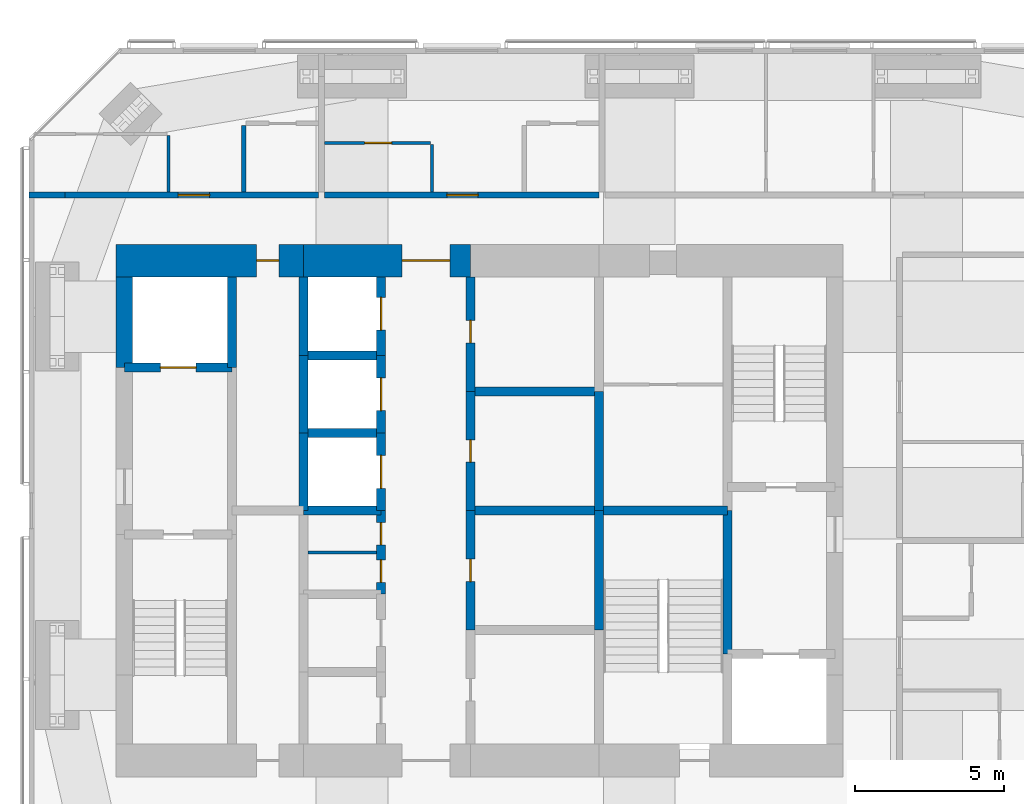
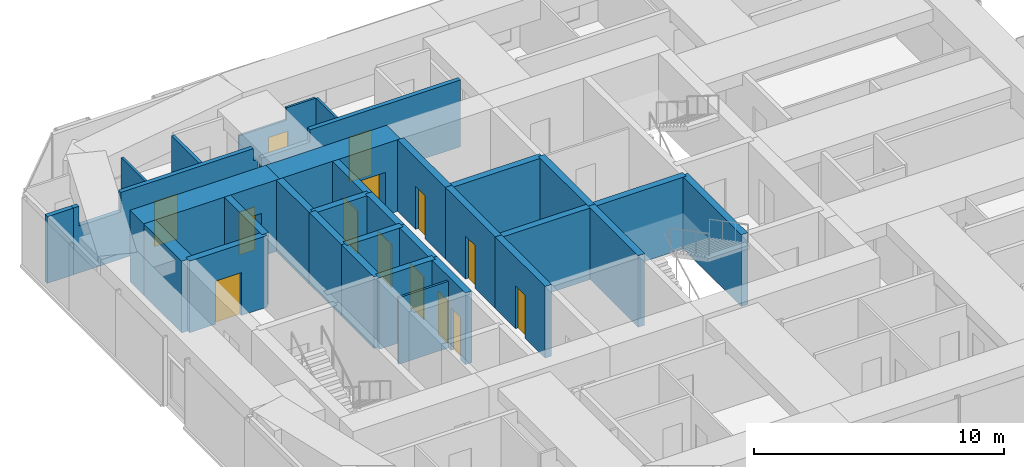
# One storey, part 14 of 18: 32 walls, 14 doors, 14 openings.
"""IFC4 building model written with IfcOpenShell, lengths in metres."""

from ifc_helpers import new_model, si_unit, direction, frame, frame_2d, origin, place, context, subcontext, project, spatial, polyline, rectangle, outline, extrude, material, layer, layer_set, constituent, constituent_set, type_object, element, fill, save


model = new_model("IFC4")

# Units and contexts
model_context = context("Model", 3, precision=1e-05, world=origin(), true_north=direction((0.0, 1.0)))
body_context = subcontext(model_context, "Body", "Model", "MODEL_VIEW")
ifc_project = project(units=[si_unit("LENGTHUNIT", "METRE"), si_unit("AREAUNIT", "SQUARE_METRE"), si_unit("VOLUMEUNIT", "CUBIC_METRE"), si_unit("PLANEANGLEUNIT", "RADIAN"), si_unit("MASSUNIT", "GRAM", prefix="KILO")], contexts=[model_context])

# Site, building, storey
site_placement = place(None, origin())
site = spatial("IfcSite", under=ifc_project, at=site_placement, CompositionType="ELEMENT")
building_placement = place(site_placement, origin())
building = spatial("IfcBuilding", under=site, at=building_placement, Name="Jalousie Tower", CompositionType="ELEMENT")
storey_placement = place(building_placement, frame((0.0, 0.0, 228.449951171875)))
storey = spatial("IfcBuildingStorey", under=building, at=storey_placement, Name="L62", CompositionType="ELEMENT", Elevation=228.449951171875)

# Wall
ifc_material_1 = material(Name="Concrete block ASTM C90", Category="concrete")
ifc_constituent_1 = constituent(ifc_material_1, Name="Body")
ifc_material_2 = material(Name="Render")
ifc_constituent_2 = constituent(ifc_material_2, Name="Finish")
ifc_constituent_set_1 = constituent_set(constituents=[ifc_constituent_1, ifc_constituent_2])
wall_type_1 = type_object("IfcWallType", Name="BATHROOM WALL 150", PredefinedType="PLUMBINGWALL", material=ifc_constituent_set_1)
wall_1_placement = place(storey_placement, frame((24.0, 31.39990234375, 0.0), z_axis=(0.0, 0.0, 1.0), x_axis=(0.0, -1.0, 0.0)))
element("IfcWall", 1, at=wall_1_placement, inside=storey, type_object=wall_type_1, Name="Bathroom Wall 150 L62", PredefinedType="PLUMBINGWALL", context=body_context, shape_type="SweptSolid", body=[
    extrude(rectangle(XDim=2.224853515625, YDim=0.14990234375, at=frame_2d((1.1123046875, 0.0))), origin(), (0.0, 0.0, 1.0), 3.260009765625),
])

# Wall, opening, door
ifc_material_3 = material(Name="Concrete f'c 120 MPa", Category="concrete")
ifc_layer_1 = layer(ifc_material_3, 1.10009765625)
ifc_layer_set_1 = layer_set([ifc_layer_1], Name="Concrete f'c 120 MPa")
wall_type_2 = type_object("IfcWallType", Name="CORE WALL 1100", PredefinedType="SHEAR", material=ifc_layer_set_1)
wall_2_placement = place(storey_placement, frame((31.60009765625, 26.875, 0.0), z_axis=(0.0, 0.0, 1.0), x_axis=(-1.0, 0.0, 0.0)))
wall_2 = element("IfcWall", 2, at=wall_2_placement, inside=storey, type_object=wall_type_2, Name="Core wall NC L62", PredefinedType="SHEAR", context=body_context, shape_type="SweptSolid", body=[
    extrude(rectangle(XDim=5.60009765625, YDim=1.10009765625, at=frame_2d((2.800048828125, 0.0))), origin(), (0.0, 0.0, 1.0), 3.5),
])
opening_1_placement = place(wall_2_placement, frame((0.699951171875, 0.0, 0.0)))
opening_1 = element("IfcOpeningElement", 3, at=opening_1_placement, cuts=wall_2, Name="Opening D15", PredefinedType="OPENING", context=body_context, shape_type="SweptSolid", body=[
    extrude(rectangle(XDim=1.60009765625, YDim=2.10009765625, at=frame_2d((0.800048828125, 1.050048828125))), frame((0.0, 0.56005859375, 0.0), z_axis=(0.0, -1.0, 0.0), x_axis=(1.0, 0.0, 0.0)), (0.0, 0.0, 1.0), 1.1201171875),
])
ifc_material_4 = material(Name="Steel fire door", Category="steel")
door_type_1 = type_object("IfcDoorType", Name="LIFT LOBBY DOOR 1600", OperationType="DOUBLE_DOOR_SINGLE_SWING", PredefinedType="DOOR", material=ifc_material_4)
door_1_placement = place(opening_1_placement, origin())
door_1 = element("IfcDoor", 4, at=door_1_placement, inside=storey, type_object=door_type_1, Name="Lift lobby north door", OperationType="DOUBLE_DOOR_SINGLE_SWING", OverallHeight=2.10009765625, OverallWidth=1.60009765625, PredefinedType="DOOR", context=body_context, shape_type="SweptSolid", body=[
    extrude(rectangle(XDim=1.60009765625, YDim=2.10009765625, at=frame_2d((0.800048828125, 1.050048828125))), frame((0.0, 0.02490234375, 0.0), z_axis=(0.0, -1.0, 0.0), x_axis=(1.0, 0.0, 0.0)), (0.0, 0.0, 1.0), 0.050048828125),
])
fill(opening_1, door_1)

wall_3_placement = place(storey_placement, frame((26.0, 26.875, 0.0), z_axis=(0.0, 0.0, 1.0), x_axis=(-1.0, 0.0, 0.0)))
wall_3 = element("IfcWall", 5, at=wall_3_placement, inside=storey, type_object=wall_type_2, Name="Core wall ND L62", PredefinedType="SHEAR", context=body_context, shape_type="SweptSolid", body=[
    extrude(rectangle(XDim=6.27490234375, YDim=1.10009765625, at=frame_2d((3.137451171875, 0.0))), origin(), (0.0, 0.0, 1.0), 3.5),
])
opening_2_placement = place(wall_3_placement, frame((0.824951171875, 0.0, 0.0)))
opening_2 = element("IfcOpeningElement", 6, at=opening_2_placement, cuts=wall_3, Name="Opening D16", PredefinedType="OPENING", context=body_context, shape_type="SweptSolid", body=[
    extrude(rectangle(XDim=0.75, YDim=2.10009765625, at=frame_2d((0.375, 1.050048828125))), frame((0.0, 0.56005859375, 0.0), z_axis=(0.0, -1.0, 0.0), x_axis=(1.0, 0.0, 0.0)), (0.0, 0.0, 1.0), 1.1201171875),
])
ifc_material_5 = material(Name="Steel fire door", Category="steel")
door_type_2 = type_object("IfcDoorType", Name="RISER DOOR 750", OperationType="SINGLE_SWING_LEFT", PredefinedType="DOOR", material=ifc_material_5)
door_2_placement = place(opening_2_placement, origin())
door_2 = element("IfcDoor", 7, at=door_2_placement, inside=storey, type_object=door_type_2, Name="North riser door", OperationType="SINGLE_SWING_RIGHT", OverallHeight=2.10009765625, OverallWidth=0.75, PredefinedType="DOOR", context=body_context, shape_type="SweptSolid", body=[
    extrude(rectangle(XDim=0.75, YDim=2.10009765625, at=frame_2d((0.375, 1.050048828125))), frame((0.0, 0.02490234375, 0.0), z_axis=(0.0, -1.0, 0.0), x_axis=(1.0, 0.0, 0.0)), (0.0, 0.0, 1.0), 0.050048828125),
])
fill(opening_2, door_2)

# Walls
ifc_material_6 = material(Name="Concrete f'c 120 MPa", Category="concrete")
ifc_layer_2 = layer(ifc_material_6, 0.300048828125)
ifc_layer_set_2 = layer_set([ifc_layer_2], Name="Concrete f'c 120 MPa")
wall_type_3 = type_object("IfcWallType", Name="CORE WALL 300", PredefinedType="SHEAR", material=ifc_layer_set_2)
wall_4_placement = place(storey_placement, frame((23.60009765625, 23.300048828125, 0.0), z_axis=(0.0, 0.0, 1.0), x_axis=(0.0, 1.0, 0.0)))
element("IfcWall", 8, at=wall_4_placement, inside=storey, type_object=wall_type_3, Name="Core wall X23.6C L62", PredefinedType="SHEAR", context=body_context, shape_type="SweptSolid", body=[
    extrude(rectangle(XDim=3.02490234375, YDim=0.300048828125, at=frame_2d((1.512451171875, 0.0))), origin(), (0.0, 0.0, 1.0), 3.5),
])
wall_5_placement = place(storey_placement, frame((26.0, 18.5, 0.0), z_axis=(0.0, 0.0, 1.0), x_axis=(0.0, 1.0, 0.0)))
element("IfcWall", 9, at=wall_5_placement, inside=storey, type_object=wall_type_3, Name="Core wall X26D L62", PredefinedType="SHEAR", context=body_context, shape_type="SweptSolid", body=[
    extrude(rectangle(XDim=2.60009765625, YDim=0.300048828125, at=frame_2d((1.300048828125, 0.0))), origin(), (0.0, 0.0, 1.0), 3.5),
])
wall_6_placement = place(storey_placement, frame((26.0, 21.10009765625, 0.0), z_axis=(0.0, 0.0, 1.0), x_axis=(0.0, 1.0, 0.0)))
element("IfcWall", 10, at=wall_6_placement, inside=storey, type_object=wall_type_3, Name="Core wall X26E L62", PredefinedType="SHEAR", context=body_context, shape_type="SweptSolid", body=[
    extrude(rectangle(XDim=2.599853515625, YDim=0.300048828125, at=frame_2d((1.2998046875, 0.0))), origin(), (0.0, 0.0, 1.0), 3.5),
])
wall_7_placement = place(storey_placement, frame((26.0, 23.699951171875, 0.0), z_axis=(0.0, 0.0, 1.0), x_axis=(0.0, 1.0, 0.0)))
element("IfcWall", 11, at=wall_7_placement, inside=storey, type_object=wall_type_3, Name="Core wall X26F L62", PredefinedType="SHEAR", context=body_context, shape_type="SweptSolid", body=[
    extrude(rectangle(XDim=2.625, YDim=0.300048828125, at=frame_2d((1.3125, 0.0))), origin(), (0.0, 0.0, 1.0), 3.5),
])

# Wall, openings, doors
wall_8_placement = place(storey_placement, frame((28.60009765625, 15.699951171875, 0.0), z_axis=(0.0, 0.0, 1.0), x_axis=(0.0, 1.0, 0.0)))
wall_8 = element("IfcWall", 12, at=wall_8_placement, inside=storey, type_object=wall_type_3, Name="Core wall X28.6C L62", PredefinedType="SHEAR", context=body_context, shape_type="SweptSolid", body=[
    extrude(rectangle(XDim=2.800048828125, YDim=0.300048828125, at=frame_2d((1.39990234375, 0.0))), origin(), (0.0, 0.0, 1.0), 3.5),
])
opening_3_placement = place(wall_8_placement, frame((0.39990234375, 0.0, 0.0)))
opening_3 = element("IfcOpeningElement", 13, at=opening_3_placement, cuts=wall_8, Name="Opening D27", PredefinedType="OPENING", context=body_context, shape_type="SweptSolid", body=[
    extrude(rectangle(XDim=0.75, YDim=2.10009765625, at=frame_2d((0.375, 1.050048828125))), frame((0.0, 0.159912109375, 0.0), z_axis=(0.0, -1.0, 0.0), x_axis=(1.0, 0.0, 0.0)), (0.0, 0.0, 1.0), 0.320068359375),
])
opening_4_placement = place(wall_8_placement, frame((1.64990234375, 0.0, 0.0)))
opening_4 = element("IfcOpeningElement", 14, at=opening_4_placement, cuts=wall_8, Name="Opening D27", PredefinedType="OPENING", context=body_context, shape_type="SweptSolid", body=[
    extrude(rectangle(XDim=0.75, YDim=2.10009765625, at=frame_2d((0.375, 1.050048828125))), frame((0.0, 0.159912109375, 0.0), z_axis=(0.0, -1.0, 0.0), x_axis=(1.0, 0.0, 0.0)), (0.0, 0.0, 1.0), 0.320068359375),
])
ifc_material_7 = material(Name="Steel fire door", Category="steel")
door_type_3 = type_object("IfcDoorType", Name="CORE ROOM DOOR 750", OperationType="SINGLE_SWING_LEFT", PredefinedType="DOOR", material=ifc_material_7)
door_3_placement = place(opening_3_placement, origin())
door_3 = element("IfcDoor", 15, at=door_3_placement, inside=storey, type_object=door_type_3, Name="Staff WC door", OperationType="SINGLE_SWING_RIGHT", OverallHeight=2.10009765625, OverallWidth=0.75, PredefinedType="DOOR", context=body_context, shape_type="SweptSolid", body=[
    extrude(rectangle(XDim=0.75, YDim=2.10009765625, at=frame_2d((0.375, 1.050048828125))), frame((0.0, 0.02490234375, 0.0), z_axis=(0.0, -1.0, 0.0), x_axis=(1.0, 0.0, 0.0)), (0.0, 0.0, 1.0), 0.050048828125),
])
fill(opening_3, door_3)
door_4_placement = place(opening_4_placement, origin())
door_4 = element("IfcDoor", 16, at=door_4_placement, inside=storey, type_object=door_type_3, Name="Cleaner's store door", OperationType="SINGLE_SWING_LEFT", OverallHeight=2.10009765625, OverallWidth=0.75, PredefinedType="DOOR", context=body_context, shape_type="SweptSolid", body=[
    extrude(rectangle(XDim=0.75, YDim=2.10009765625, at=frame_2d((0.375, 1.050048828125))), frame((0.0, 0.02490234375, 0.0), z_axis=(0.0, -1.0, 0.0), x_axis=(1.0, 0.0, 0.0)), (0.0, 0.0, 1.0), 0.050048828125),
])
fill(opening_4, door_4)

# Wall, opening, door
wall_9_placement = place(storey_placement, frame((28.60009765625, 18.5, 0.0), z_axis=(0.0, 0.0, 1.0), x_axis=(0.0, 1.0, 0.0)))
wall_9 = element("IfcWall", 17, at=wall_9_placement, inside=storey, type_object=wall_type_3, Name="Core wall X28.6D L62", PredefinedType="SHEAR", context=body_context, shape_type="SweptSolid", body=[
    extrude(rectangle(XDim=2.60009765625, YDim=0.300048828125, at=frame_2d((1.300048828125, 0.0))), origin(), (0.0, 0.0, 1.0), 3.5),
])
opening_5_placement = place(wall_9_placement, frame((0.75, 0.0, 0.0)))
opening_5 = element("IfcOpeningElement", 18, at=opening_5_placement, cuts=wall_9, Name="Opening LD1", PredefinedType="OPENING", context=body_context, shape_type="SweptSolid", body=[
    extrude(rectangle(XDim=1.10009765625, YDim=2.10009765625, at=frame_2d((0.550048828125, 1.050048828125))), frame((0.0, 0.159912109375, 0.0), z_axis=(0.0, -1.0, 0.0), x_axis=(1.0, 0.0, 0.0)), (0.0, 0.0, 1.0), 0.320068359375),
])
ifc_material_8 = material(Name="Steel lift landing door", Category="steel")
door_type_4 = type_object("IfcDoorType", Name="LIFT LANDING DOOR 1100", OperationType="SLIDING_TO_LEFT", PredefinedType="DOOR", material=ifc_material_8)
door_5_placement = place(opening_5_placement, origin())
door_5 = element("IfcDoor", 19, at=door_5_placement, inside=storey, type_object=door_type_4, Name="Lift P4 landing door", OperationType="SLIDING_TO_LEFT", OverallHeight=2.10009765625, OverallWidth=1.10009765625, PredefinedType="DOOR", context=body_context, shape_type="SweptSolid", body=[
    extrude(rectangle(XDim=1.10009765625, YDim=2.10009765625, at=frame_2d((0.550048828125, 1.050048828125))), frame((0.0, 0.02490234375, 0.0), z_axis=(0.0, -1.0, 0.0), x_axis=(1.0, 0.0, 0.0)), (0.0, 0.0, 1.0), 0.050048828125),
])
fill(opening_5, door_5)

wall_10_placement = place(storey_placement, frame((28.60009765625, 21.10009765625, 0.0), z_axis=(0.0, 0.0, 1.0), x_axis=(0.0, 1.0, 0.0)))
wall_10 = element("IfcWall", 20, at=wall_10_placement, inside=storey, type_object=wall_type_3, Name="Core wall X28.6E L62", PredefinedType="SHEAR", context=body_context, shape_type="SweptSolid", body=[
    extrude(rectangle(XDim=2.599853515625, YDim=0.300048828125, at=frame_2d((1.2998046875, 0.0))), origin(), (0.0, 0.0, 1.0), 3.5),
])
opening_6_placement = place(wall_10_placement, frame((0.75, 0.0, 0.0)))
opening_6 = element("IfcOpeningElement", 21, at=opening_6_placement, cuts=wall_10, Name="Opening LD1", PredefinedType="OPENING", context=body_context, shape_type="SweptSolid", body=[
    extrude(rectangle(XDim=1.10009765625, YDim=2.10009765625, at=frame_2d((0.550048828125, 1.050048828125))), frame((0.0, 0.159912109375, 0.0), z_axis=(0.0, -1.0, 0.0), x_axis=(1.0, 0.0, 0.0)), (0.0, 0.0, 1.0), 0.320068359375),
])
door_6_placement = place(opening_6_placement, origin())
door_6 = element("IfcDoor", 22, at=door_6_placement, inside=storey, type_object=door_type_4, Name="Lift P5 landing door", OperationType="SLIDING_TO_LEFT", OverallHeight=2.10009765625, OverallWidth=1.10009765625, PredefinedType="DOOR", context=body_context, shape_type="SweptSolid", body=[
    extrude(rectangle(XDim=1.10009765625, YDim=2.10009765625, at=frame_2d((0.550048828125, 1.050048828125))), frame((0.0, 0.02490234375, 0.0), z_axis=(0.0, -1.0, 0.0), x_axis=(1.0, 0.0, 0.0)), (0.0, 0.0, 1.0), 0.050048828125),
])
fill(opening_6, door_6)

wall_11_placement = place(storey_placement, frame((28.60009765625, 23.699951171875, 0.0), z_axis=(0.0, 0.0, 1.0), x_axis=(0.0, 1.0, 0.0)))
wall_11 = element("IfcWall", 23, at=wall_11_placement, inside=storey, type_object=wall_type_3, Name="Core wall X28.6F L62", PredefinedType="SHEAR", context=body_context, shape_type="SweptSolid", body=[
    extrude(rectangle(XDim=2.625, YDim=0.300048828125, at=frame_2d((1.3125, 0.0))), origin(), (0.0, 0.0, 1.0), 3.5),
])
opening_7_placement = place(wall_11_placement, frame((0.85009765625, 0.0, 0.0)))
opening_7 = element("IfcOpeningElement", 24, at=opening_7_placement, cuts=wall_11, Name="Opening LD1", PredefinedType="OPENING", context=body_context, shape_type="SweptSolid", body=[
    extrude(rectangle(XDim=1.10009765625, YDim=2.10009765625, at=frame_2d((0.550048828125, 1.050048828125))), frame((0.0, 0.159912109375, 0.0), z_axis=(0.0, -1.0, 0.0), x_axis=(1.0, 0.0, 0.0)), (0.0, 0.0, 1.0), 0.320068359375),
])
door_7_placement = place(opening_7_placement, origin())
door_7 = element("IfcDoor", 25, at=door_7_placement, inside=storey, type_object=door_type_4, Name="Lift P6 landing door", OperationType="SLIDING_TO_LEFT", OverallHeight=2.10009765625, OverallWidth=1.10009765625, PredefinedType="DOOR", context=body_context, shape_type="SweptSolid", body=[
    extrude(rectangle(XDim=1.10009765625, YDim=2.10009765625, at=frame_2d((0.550048828125, 1.050048828125))), frame((0.0, 0.02490234375, 0.0), z_axis=(0.0, -1.0, 0.0), x_axis=(1.0, 0.0, 0.0)), (0.0, 0.0, 1.0), 0.050048828125),
])
fill(opening_7, door_7)

wall_12_placement = place(storey_placement, frame((31.60009765625, 14.5, 0.0), z_axis=(0.0, 0.0, 1.0), x_axis=(0.0, 1.0, 0.0)))
wall_12 = element("IfcWall", 26, at=wall_12_placement, inside=storey, type_object=wall_type_3, Name="Core wall X31.6B L62", PredefinedType="SHEAR", context=body_context, shape_type="SweptSolid", body=[
    extrude(rectangle(XDim=4.0, YDim=0.300048828125, at=frame_2d((2.0, 0.0))), origin(), (0.0, 0.0, 1.0), 3.5),
])
opening_8_placement = place(wall_12_placement, frame((1.625, 0.0, 0.0)))
opening_8 = element("IfcOpeningElement", 27, at=opening_8_placement, cuts=wall_12, Name="Opening D16", PredefinedType="OPENING", context=body_context, shape_type="SweptSolid", body=[
    extrude(rectangle(XDim=0.75, YDim=2.10009765625, at=frame_2d((0.375, 1.050048828125))), frame((0.0, 0.159912109375, 0.0), z_axis=(0.0, -1.0, 0.0), x_axis=(1.0, 0.0, 0.0)), (0.0, 0.0, 1.0), 0.320068359375),
])
door_8_placement = place(opening_8_placement, frame((0.75, 0.0, 0.0), z_axis=(0.0, 0.0, 1.0), x_axis=(-1.0, 0.0, 0.0)))
door_8 = element("IfcDoor", 28, at=door_8_placement, inside=storey, type_object=door_type_2, Name="Electrical Room door", OperationType="SINGLE_SWING_RIGHT", OverallHeight=2.10009765625, OverallWidth=0.75, PredefinedType="DOOR", context=body_context, shape_type="SweptSolid", body=[
    extrude(rectangle(XDim=0.75, YDim=2.10009765625, at=frame_2d((0.375, 1.050048828125))), frame((0.0, 0.02490234375, 0.0), z_axis=(0.0, -1.0, 0.0), x_axis=(1.0, 0.0, 0.0)), (0.0, 0.0, 1.0), 0.050048828125),
])
fill(opening_8, door_8)

wall_13_placement = place(storey_placement, frame((31.60009765625, 18.5, 0.0), z_axis=(0.0, 0.0, 1.0), x_axis=(0.0, 1.0, 0.0)))
wall_13 = element("IfcWall", 29, at=wall_13_placement, inside=storey, type_object=wall_type_3, Name="Core wall X31.6C L62", PredefinedType="SHEAR", context=body_context, shape_type="SweptSolid", body=[
    extrude(rectangle(XDim=4.0, YDim=0.300048828125, at=frame_2d((2.0, 0.0))), origin(), (0.0, 0.0, 1.0), 3.5),
])
opening_9_placement = place(wall_13_placement, frame((1.625, 0.0, 0.0)))
opening_9 = element("IfcOpeningElement", 30, at=opening_9_placement, cuts=wall_13, Name="Opening D16", PredefinedType="OPENING", context=body_context, shape_type="SweptSolid", body=[
    extrude(rectangle(XDim=0.75, YDim=2.10009765625, at=frame_2d((0.375, 1.050048828125))), frame((0.0, 0.159912109375, 0.0), z_axis=(0.0, -1.0, 0.0), x_axis=(1.0, 0.0, 0.0)), (0.0, 0.0, 1.0), 0.320068359375),
])
door_9_placement = place(opening_9_placement, frame((0.75, 0.0, 0.0), z_axis=(0.0, 0.0, 1.0), x_axis=(-1.0, 0.0, 0.0)))
door_9 = element("IfcDoor", 31, at=door_9_placement, inside=storey, type_object=door_type_2, Name="Telecom Room door", OperationType="SINGLE_SWING_RIGHT", OverallHeight=2.10009765625, OverallWidth=0.75, PredefinedType="DOOR", context=body_context, shape_type="SweptSolid", body=[
    extrude(rectangle(XDim=0.75, YDim=2.10009765625, at=frame_2d((0.375, 1.050048828125))), frame((0.0, 0.02490234375, 0.0), z_axis=(0.0, -1.0, 0.0), x_axis=(1.0, 0.0, 0.0)), (0.0, 0.0, 1.0), 0.050048828125),
])
fill(opening_9, door_9)

wall_14_placement = place(storey_placement, frame((31.60009765625, 22.5, 0.0), z_axis=(0.0, 0.0, 1.0), x_axis=(0.0, 1.0, 0.0)))
wall_14 = element("IfcWall", 32, at=wall_14_placement, inside=storey, type_object=wall_type_3, Name="Core wall X31.6D L62", PredefinedType="SHEAR", context=body_context, shape_type="SweptSolid", body=[
    extrude(rectangle(XDim=3.824951171875, YDim=0.300048828125, at=frame_2d((1.91259765625, 0.0))), origin(), (0.0, 0.0, 1.0), 3.5),
])
opening_10_placement = place(wall_14_placement, frame((1.625, 0.0, 0.0)))
opening_10 = element("IfcOpeningElement", 33, at=opening_10_placement, cuts=wall_14, Name="Opening D16", PredefinedType="OPENING", context=body_context, shape_type="SweptSolid", body=[
    extrude(rectangle(XDim=0.75, YDim=2.10009765625, at=frame_2d((0.375, 1.050048828125))), frame((0.0, 0.159912109375, 0.0), z_axis=(0.0, -1.0, 0.0), x_axis=(1.0, 0.0, 0.0)), (0.0, 0.0, 1.0), 0.320068359375),
])
door_10_placement = place(opening_10_placement, frame((0.75, 0.0, 0.0), z_axis=(0.0, 0.0, 1.0), x_axis=(-1.0, 0.0, 0.0)))
door_10 = element("IfcDoor", 34, at=door_10_placement, inside=storey, type_object=door_type_2, Name="Water Services Room door", OperationType="SINGLE_SWING_LEFT", OverallHeight=2.10009765625, OverallWidth=0.75, PredefinedType="DOOR", context=body_context, shape_type="SweptSolid", body=[
    extrude(rectangle(XDim=0.75, YDim=2.10009765625, at=frame_2d((0.375, 1.050048828125))), frame((0.0, 0.02490234375, 0.0), z_axis=(0.0, -1.0, 0.0), x_axis=(1.0, 0.0, 0.0)), (0.0, 0.0, 1.0), 0.050048828125),
])
fill(opening_10, door_10)

# Walls
for number, where, z_axis, x_axis, name in (
    (35, (35.89990234375, 14.5, 0.0), (0.0, 0.0, 1.0), (0.0, 1.0, 0.0), "Core wall X35.9B L62"),
    (36, (35.89990234375, 18.5, 0.0), (0.0, 0.0, 1.0), (0.0, 1.0, 0.0), "Core wall X35.9C L62"),
):
    element("IfcWall", number, at=place(storey_placement, frame(where, z_axis=z_axis, x_axis=x_axis)), inside=storey, type_object=wall_type_3, Name=name, PredefinedType="SHEAR", context=body_context, shape_type="SweptSolid", body=[
        extrude(rectangle(XDim=4.0, YDim=0.300048828125, at=frame_2d((2.0, 0.0))), origin(), (0.0, 0.0, 1.0), 3.5),
    ])
wall_15_placement = place(storey_placement, frame((40.199951171875, 13.699951171875, 0.0), z_axis=(0.0, 0.0, 1.0), x_axis=(0.0, 1.0, 0.0)))
element("IfcWall", 37, at=wall_15_placement, inside=storey, type_object=wall_type_3, Name="Core wall X40.2B L62", PredefinedType="SHEAR", context=body_context, shape_type="SweptSolid", body=[
    extrude(rectangle(XDim=4.800048828125, YDim=0.300048828125, at=frame_2d((2.39990234375, 0.0))), origin(), (0.0, 0.0, 1.0), 3.5),
])

# Wall, opening, door
wall_16_placement = place(storey_placement, frame((20.0, 23.300048828125, 0.0), z_axis=(0.0, 0.0, 1.0), x_axis=(1.0, 0.0, 0.0)))
wall_16 = element("IfcWall", 38, at=wall_16_placement, inside=storey, type_object=wall_type_3, Name="Core wall Y20-23.3 L62", PredefinedType="SHEAR", context=body_context, shape_type="SweptSolid", body=[
    extrude(rectangle(XDim=3.60009765625, YDim=0.300048828125, at=frame_2d((1.800048828125, 0.0))), origin(), (0.0, 0.0, 1.0), 3.5),
])
opening_11_placement = place(wall_16_placement, frame((1.199951171875, 0.0, 0.0)))
opening_11 = element("IfcOpeningElement", 39, at=opening_11_placement, cuts=wall_16, Name="Opening LD2", PredefinedType="OPENING", context=body_context, shape_type="SweptSolid", body=[
    extrude(rectangle(XDim=1.199951171875, YDim=2.10009765625, at=frame_2d((0.60009765625, 1.050048828125))), frame((0.0, 0.159912109375, 0.0), z_axis=(0.0, -1.0, 0.0), x_axis=(1.0, 0.0, 0.0)), (0.0, 0.0, 1.0), 0.320068359375),
])
ifc_material_9 = material(Name="Steel lift landing door", Category="steel")
door_type_5 = type_object("IfcDoorType", Name="LIFT LANDING DOOR 1200", OperationType="SLIDING_TO_LEFT", PredefinedType="DOOR", material=ifc_material_9)
door_11_placement = place(opening_11_placement, origin())
door_11 = element("IfcDoor", 40, at=door_11_placement, inside=storey, type_object=door_type_5, Name="Lift F1 landing door", OperationType="SLIDING_TO_LEFT", OverallHeight=2.10009765625, OverallWidth=1.199951171875, PredefinedType="DOOR", context=body_context, shape_type="SweptSolid", body=[
    extrude(rectangle(XDim=1.199951171875, YDim=2.10009765625, at=frame_2d((0.60009765625, 1.050048828125))), frame((0.0, 0.02490234375, 0.0), z_axis=(0.0, -1.0, 0.0), x_axis=(1.0, 0.0, 0.0)), (0.0, 0.0, 1.0), 0.050048828125),
])
fill(opening_11, door_11)

# Walls
for number, where, z_axis, x_axis, name in (
    (41, (26.0, 18.5, 0.0), (0.0, 0.0, 1.0), (1.0, 0.0, 0.0), "Core wall Y26-18.5 L62"),
    (42, (26.0, 21.10009765625, 0.0), (0.0, 0.0, 1.0), (1.0, 0.0, 0.0), "Core wall Y26-21.1 L62"),
    (43, (26.0, 23.699951171875, 0.0), (0.0, 0.0, 1.0), (1.0, 0.0, 0.0), "Core wall Y26-23.7 L62"),
):
    element("IfcWall", number, at=place(storey_placement, frame(where, z_axis=z_axis, x_axis=x_axis)), inside=storey, type_object=wall_type_3, Name=name, PredefinedType="SHEAR", context=body_context, shape_type="SweptSolid", body=[
        extrude(rectangle(XDim=2.60009765625, YDim=0.300048828125, at=frame_2d((1.300048828125, 0.0))), origin(), (0.0, 0.0, 1.0), 3.5),
    ])
for number, where, z_axis, x_axis, name in (
    (44, (31.60009765625, 18.5, 0.0), (0.0, 0.0, 1.0), (1.0, 0.0, 0.0), "Core wall Y31.6-18.5 L62"),
    (45, (31.60009765625, 22.5, 0.0), (0.0, 0.0, 1.0), (1.0, 0.0, 0.0), "Core wall Y31.6-22.5 L62"),
):
    element("IfcWall", number, at=place(storey_placement, frame(where, z_axis=z_axis, x_axis=x_axis)), inside=storey, type_object=wall_type_3, Name=name, PredefinedType="SHEAR", context=body_context, shape_type="SweptSolid", body=[
        extrude(rectangle(XDim=4.2998046875, YDim=0.300048828125, at=frame_2d((2.14990234375, 0.0))), origin(), (0.0, 0.0, 1.0), 3.5),
    ])
wall_17_placement = place(storey_placement, frame((35.89990234375, 18.5, 0.0), z_axis=(0.0, 0.0, 1.0), x_axis=(1.0, 0.0, 0.0)))
element("IfcWall", 46, at=wall_17_placement, inside=storey, type_object=wall_type_3, Name="Core wall Y35.9-18.5 L62", PredefinedType="SHEAR", context=body_context, shape_type="SweptSolid", body=[
    extrude(rectangle(XDim=4.300048828125, YDim=0.300048828125, at=frame_2d((2.14990234375, 0.0))), origin(), (0.0, 0.0, 1.0), 3.5),
])
ifc_material_10 = material(Name="Concrete f'c 120 MPa", Category="concrete")
ifc_layer_3 = layer(ifc_material_10, 0.550048828125)
ifc_layer_set_3 = layer_set([ifc_layer_3], Name="Concrete f'c 120 MPa")
wall_type_4 = type_object("IfcWallType", Name="CORE WALL 550", PredefinedType="SHEAR", material=ifc_layer_set_3)
wall_18_placement = place(storey_placement, frame((20.0, 26.324951171875, 0.0), z_axis=(0.0, 0.0, 1.0), x_axis=(0.0, -1.0, 0.0)))
element("IfcWall", 47, at=wall_18_placement, inside=storey, type_object=wall_type_4, Name="Core wall WA L62", PredefinedType="SHEAR", context=body_context, shape_type="SweptSolid", body=[
    extrude(rectangle(XDim=3.02490234375, YDim=0.550048828125, at=frame_2d((1.512451171875, 0.0))), origin(), (0.0, 0.0, 1.0), 3.5),
])

# Wall, opening, door
ifc_material_11 = material(Name="Concrete block ASTM C90", Category="concrete")
ifc_constituent_3 = constituent(ifc_material_11, Name="Body")
ifc_material_12 = material(Name="Render")
ifc_constituent_4 = constituent(ifc_material_12, Name="Finish")
ifc_constituent_set_2 = constituent_set(constituents=[ifc_constituent_3, ifc_constituent_4])
wall_type_5 = type_object("IfcWallType", Name="CORRIDOR WALL 200", PredefinedType="PARTITIONING", material=ifc_constituent_set_2)
wall_19_placement = place(storey_placement, frame((18.0, 29.074951171875, 0.0), z_axis=(0.0, 0.0, 1.0), x_axis=(1.0, 0.0, 0.0)))
wall_19 = element("IfcWall", 48, at=wall_19_placement, inside=storey, type_object=wall_type_5, Name="Corridor Wall 200 L62", PredefinedType="PARTITIONING", context=body_context, shape_type="SweptSolid", body=[
    extrude(outline(polyline([(0.0, 0.0), (8.5, 0.0), (8.5, 3.260009765625), (8.5, 2.66015625), (8.31494140625, 2.66015625), (8.31494140625, 3.260009765625), (2.191650390625, 3.260009765625), (2.191650390625, 2.300048828125), (0.25634765625, 2.300048828125), (0.25634765625, 3.260009765625), (0.0, 3.260009765625), (0.0, 0.0)])), frame((0.0, 0.10009765625, 0.0), z_axis=(0.0, -1.0, 0.0), x_axis=(1.0, 0.0, 0.0)), (0.0, 0.0, 1.0), 0.199951171875),
])
opening_12_placement = place(wall_19_placement, frame((3.800048828125, 0.0, 0.0)))
opening_12 = element("IfcOpeningElement", 49, at=opening_12_placement, cuts=wall_19, Name="Opening D1", PredefinedType="OPENING", context=body_context, shape_type="SweptSolid", body=[
    extrude(rectangle(XDim=1.050048828125, YDim=2.199951171875, at=frame_2d((0.52490234375, 1.10009765625))), frame((0.0, 0.10986328125, 0.0), z_axis=(0.0, -1.0, 0.0), x_axis=(1.0, 0.0, 0.0)), (0.0, 0.0, 1.0), 0.219970703125),
])
ifc_material_13 = material(Name="Timber fire door", Category="wood")
door_type_6 = type_object("IfcDoorType", Name="APARTMENT ENTRANCE DOOR 1050", OperationType="SINGLE_SWING_LEFT", PredefinedType="DOOR", material=ifc_material_13)
door_12_placement = place(opening_12_placement, origin())
door_12 = element("IfcDoor", 50, at=door_12_placement, inside=storey, type_object=door_type_6, Name="Apartment 6204 entrance", OperationType="SINGLE_SWING_LEFT", OverallHeight=2.199951171875, OverallWidth=1.050048828125, PredefinedType="DOOR", context=body_context, shape_type="SweptSolid", body=[
    extrude(rectangle(XDim=1.050048828125, YDim=2.199951171875, at=frame_2d((0.52490234375, 1.10009765625))), frame((0.0, 0.02490234375, 0.0), z_axis=(0.0, -1.0, 0.0), x_axis=(1.0, 0.0, 0.0)), (0.0, 0.0, 1.0), 0.050048828125),
])
fill(opening_12, door_12)

wall_20_placement = place(storey_placement, frame((26.699951171875, 29.074951171875, 0.0), z_axis=(0.0, 0.0, 1.0), x_axis=(1.0, 0.0, 0.0)))
wall_20 = element("IfcWall", 51, at=wall_20_placement, inside=storey, type_object=wall_type_5, Name="Corridor Wall 200 L62", PredefinedType="PARTITIONING", context=body_context, shape_type="SweptSolid", body=[
    extrude(outline(polyline([(0.0, 0.0), (9.199951171875, 0.0), (9.199951171875, 3.260009765625), (2.235107421875, 3.260009765625), (2.235107421875, 2.66015625), (0.0, 2.66015625), (0.0, 3.260009765625), (0.0, 0.0)])), frame((0.0, 0.10009765625, 0.0), z_axis=(0.0, -1.0, 0.0), x_axis=(1.0, 0.0, 0.0)), (0.0, 0.0, 1.0), 0.199951171875),
])
opening_13_placement = place(wall_20_placement, frame((4.10009765625, 0.0, 0.0)))
opening_13 = element("IfcOpeningElement", 52, at=opening_13_placement, cuts=wall_20, Name="Opening D1", PredefinedType="OPENING", context=body_context, shape_type="SweptSolid", body=[
    extrude(rectangle(XDim=1.050048828125, YDim=2.199951171875, at=frame_2d((0.52490234375, 1.10009765625))), frame((0.0, 0.10986328125, 0.0), z_axis=(0.0, -1.0, 0.0), x_axis=(1.0, 0.0, 0.0)), (0.0, 0.0, 1.0), 0.219970703125),
])
door_13_placement = place(opening_13_placement, origin())
door_13 = element("IfcDoor", 53, at=door_13_placement, inside=storey, type_object=door_type_6, Name="Apartment 6205 entrance", OperationType="SINGLE_SWING_LEFT", OverallHeight=2.199951171875, OverallWidth=1.050048828125, PredefinedType="DOOR", context=body_context, shape_type="SweptSolid", body=[
    extrude(rectangle(XDim=1.050048828125, YDim=2.199951171875, at=frame_2d((0.52490234375, 1.10009765625))), frame((0.0, 0.02490234375, 0.0), z_axis=(0.0, -1.0, 0.0), x_axis=(1.0, 0.0, 0.0)), (0.0, 0.0, 1.0), 0.050048828125),
])
fill(opening_13, door_13)

# Wall
ifc_material_14 = material(Name="Gypsum board", Category="gypsum")
ifc_constituent_5 = constituent(ifc_material_14, Name="Body")
ifc_material_15 = material(Name="Light-gauge steel studs ASTM A653 SS Grade 33", Category="steel")
ifc_constituent_6 = constituent(ifc_material_15, Name="Framing")
ifc_constituent_set_3 = constituent_set(constituents=[ifc_constituent_5, ifc_constituent_6])
wall_type_6 = type_object("IfcWallType", Name="PARTITION 100", PredefinedType="PARTITIONING", material=ifc_constituent_set_3)
wall_21_placement = place(storey_placement, frame((21.47509765625, 31.074951171875, 0.0), z_axis=(0.0, 0.0, 1.0), x_axis=(0.0, -1.0, 0.0)))
element("IfcWall", 54, at=wall_21_placement, inside=storey, type_object=wall_type_6, Name="Partition 100 L62", PredefinedType="PARTITIONING", context=body_context, shape_type="SweptSolid", body=[
    extrude(rectangle(XDim=1.89990234375, YDim=0.10009765625, at=frame_2d((0.949951171875, 0.0))), origin(), (0.0, 0.0, 1.0), 3.260009765625),
])

# Wall, opening, door
wall_22_placement = place(storey_placement, frame((26.699951171875, 30.824951171875, 0.0), z_axis=(0.0, 0.0, 1.0), x_axis=(1.0, 0.0, 0.0)))
wall_22 = element("IfcWall", 55, at=wall_22_placement, inside=storey, type_object=wall_type_6, Name="Partition 100 L62", PredefinedType="PARTITIONING", context=body_context, shape_type="SweptSolid", body=[
    extrude(outline(polyline([(0.0, 0.0), (3.550048828125, 0.0), (3.550048828125, 3.260009765625), (2.18505859375, 3.260009765625), (2.18505859375, 2.66015625), (0.0, 2.66015625), (0.0, 3.260009765625), (0.0, 0.0)])), frame((0.0, 0.050048828125, 0.0), z_axis=(0.0, -1.0, 0.0), x_axis=(1.0, 0.0, 0.0)), (0.0, 0.0, 1.0), 0.10009765625),
])
opening_14_placement = place(wall_22_placement, frame((1.35009765625, 0.0, 0.0)))
opening_14 = element("IfcOpeningElement", 56, at=opening_14_placement, cuts=wall_22, Name="Opening D7", PredefinedType="OPENING", context=body_context, shape_type="SweptSolid", body=[
    extrude(rectangle(XDim=0.89990234375, YDim=2.10009765625, at=frame_2d((0.449951171875, 1.050048828125))), frame((0.0, 0.06005859375, 0.0), z_axis=(0.0, -1.0, 0.0), x_axis=(1.0, 0.0, 0.0)), (0.0, 0.0, 1.0), 0.1201171875),
])
ifc_material_16 = material(Name="Timber door", Category="wood")
door_type_7 = type_object("IfcDoorType", Name="INTERNAL DOOR 900", OperationType="SINGLE_SWING_LEFT", PredefinedType="DOOR", material=ifc_material_16)
door_14_placement = place(opening_14_placement, frame((0.89990234375, 0.0, 0.0), z_axis=(0.0, 0.0, 1.0), x_axis=(-1.0, 0.0, 0.0)))
door_14 = element("IfcDoor", 57, at=door_14_placement, inside=storey, type_object=door_type_7, Name="Apartment 6205 kitchen door", OperationType="SINGLE_SWING_LEFT", OverallHeight=2.10009765625, OverallWidth=0.89990234375, PredefinedType="DOOR", context=body_context, shape_type="SweptSolid", body=[
    extrude(rectangle(XDim=0.89990234375, YDim=2.10009765625, at=frame_2d((0.449951171875, 1.050048828125))), frame((0.0, 0.02490234375, 0.0), z_axis=(0.0, -1.0, 0.0), x_axis=(1.0, 0.0, 0.0)), (0.0, 0.0, 1.0), 0.050048828125),
])
fill(opening_14, door_14)

# Walls
wall_23_placement = place(storey_placement, frame((30.300048828125, 30.77490234375, 0.0), z_axis=(0.0, 0.0, 1.0), x_axis=(0.0, -1.0, 0.0)))
element("IfcWall", 58, at=wall_23_placement, inside=storey, type_object=wall_type_6, Name="Partition 100 L62", PredefinedType="PARTITIONING", context=body_context, shape_type="SweptSolid", body=[
    extrude(rectangle(XDim=1.599853515625, YDim=0.10009765625, at=frame_2d((0.7998046875, 0.0))), origin(), (0.0, 0.0, 1.0), 3.260009765625),
])
wall_24_placement = place(storey_placement, frame((26.14990234375, 17.10009765625, 0.0), z_axis=(0.0, 0.0, 1.0), x_axis=(1.0, 0.0, 0.0)))
element("IfcWall", 59, at=wall_24_placement, inside=storey, type_object=wall_type_6, Name="Partition 100 L62", PredefinedType="PARTITIONING", context=body_context, shape_type="SweptSolid", body=[
    extrude(rectangle(XDim=2.300048828125, YDim=0.10009765625, at=frame_2d((1.14990234375, 0.0))), origin(), (0.0, 0.0, 1.0), 3.260009765625),
])
ifc_material_17 = material(Name="Concrete block ASTM C90", Category="concrete")
ifc_constituent_7 = constituent(ifc_material_17, Name="Body")
ifc_material_18 = material(Name="Render")
ifc_constituent_8 = constituent(ifc_material_18, Name="Finish")
ifc_constituent_set_4 = constituent_set(constituents=[ifc_constituent_7, ifc_constituent_8])
wall_type_7 = type_object("IfcWallType", Name="PARTY WALL 200", PredefinedType="PARTITIONING", material=ifc_constituent_set_4)
wall_25_placement = place(storey_placement, frame((16.800048828125, 29.074951171875, 0.0), z_axis=(0.0, 0.0, 1.0), x_axis=(1.0, 0.0, 0.0)))
element("IfcWall", 60, at=wall_25_placement, inside=storey, type_object=wall_type_7, Name="Party Wall 200 L62", PredefinedType="PARTITIONING", context=body_context, shape_type="SweptSolid", body=[
    extrude(rectangle(XDim=1.199951171875, YDim=0.199951171875, at=frame_2d((0.60009765625, 0.0))), origin(), (0.0, 0.0, 1.0), 3.260009765625),
])

save(model, "model.ifc")
